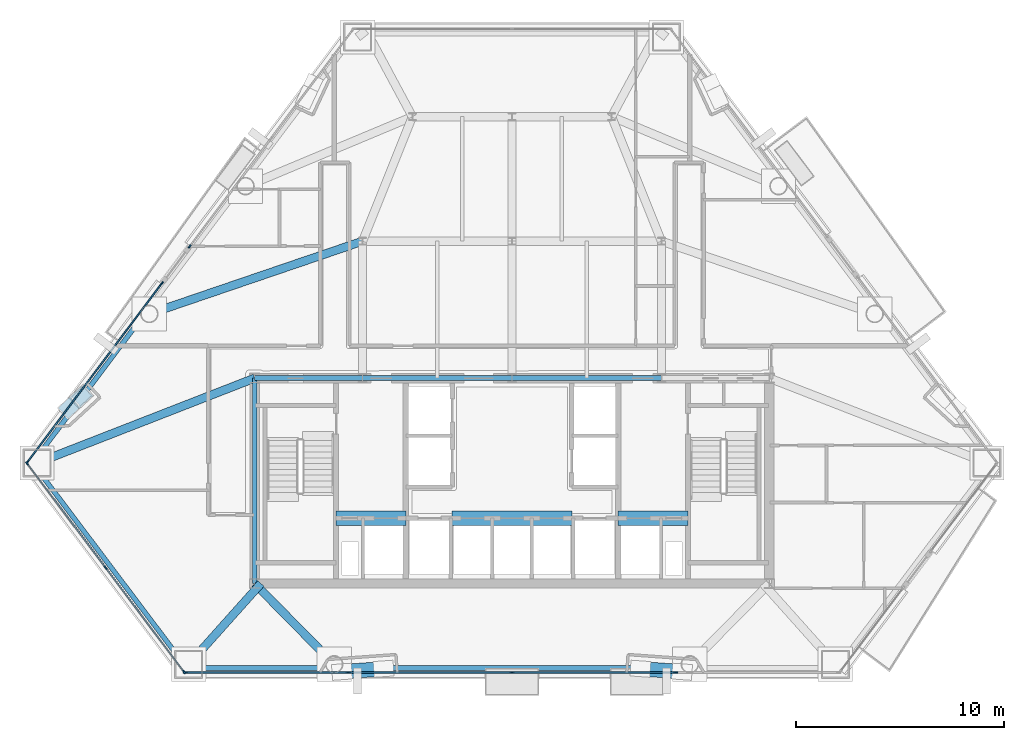
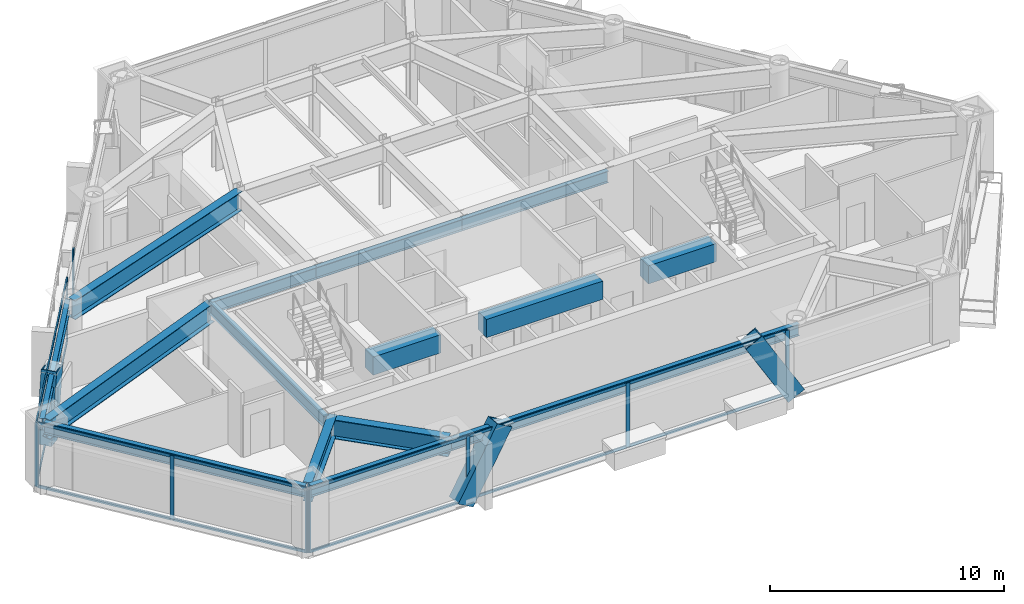
# One storey, part 2 of 10: 25 members, 15 beams, 4 elements without a shape of their own.
"""IFC4 building model written with IfcOpenShell, lengths in metres."""

from ifc_helpers import new_model, si_unit, direction, frame, origin, origin_2d, place, context, subcontext, project, spatial, rectangle, hollow_rectangle, i_section, extrude, material, layer, layer_set, material_profile, profile_set, type_object, element, aggregate, save


model = new_model("IFC4")

# Units and contexts
model_context = context("Model", 3, precision=1e-05, world=origin(), true_north=direction((0.0, 1.0)))
body_context = subcontext(model_context, "Body", "Model", "MODEL_VIEW")
ifc_project = project(units=[si_unit("LENGTHUNIT", "METRE"), si_unit("AREAUNIT", "SQUARE_METRE"), si_unit("VOLUMEUNIT", "CUBIC_METRE"), si_unit("PLANEANGLEUNIT", "RADIAN"), si_unit("MASSUNIT", "GRAM", prefix="KILO")], contexts=[model_context])

# Site, building, storey
site_placement = place(None, origin())
site = spatial("IfcSite", under=ifc_project, at=site_placement, CompositionType="ELEMENT")
building_placement = place(site_placement, origin())
building = spatial("IfcBuilding", under=site, at=building_placement, Name="Talgorran Terracotta Tower", CompositionType="ELEMENT")
storey_placement = place(building_placement, frame((0.0, 0.0, 64.800048828125)))
storey = spatial("IfcBuildingStorey", under=building, at=storey_placement, Name="L16", CompositionType="ELEMENT", Elevation=64.800048828125)

# Beams
ifc_material_1 = material(Name="Steel Grade 350 (350L0)", Category="steel")
ifc_material_profile_1 = material_profile(ifc_material_1, i_section(OverallWidth=0.39990234375, OverallDepth=1.0, WebThickness=0.01611328125, FlangeThickness=0.031005859375, at=origin_2d()), Name="1000WB296")
ifc_profile_set_1 = profile_set([ifc_material_profile_1], Name="Steel Grade 350 (350L0)")
beam_type_1 = type_object("IfcBeamType", Name="BM_1000WB296", PredefinedType="BEAM", material=ifc_profile_set_1)
beam_1_placement = place(storey_placement, frame((-8.56884765625, -17.9912109375, 2.849853515625), z_axis=(-0.701586091596, 0.712584700985, 0.0), x_axis=(-0.712584700985, -0.701586091596, 0.0)))
element("IfcBeam", 1, at=beam_1_placement, inside=storey, type_object=beam_type_1, Name="L16 South-West Core Tie Beam", PredefinedType="BEAM", context=body_context, shape_type="SweptSolid", body=[
    extrude(i_section(OverallWidth=0.39990234375, OverallDepth=1.0, WebThickness=0.01611328125, FlangeThickness=0.031005859375, at=origin_2d()), origin(), (0.0, 0.0, 1.0), 5.46044921875),
])
beam_2_placement = place(storey_placement, frame((-15.57958984375, -17.9912109375, 2.849853515625), z_axis=(0.666578821872, 0.745434553957, 0.0), x_axis=(-0.745434553957, 0.666578821872, 0.0)))
element("IfcBeam", 2, at=beam_2_placement, inside=storey, type_object=beam_type_1, Name="L16 Perimeter Step Girder 2", PredefinedType="BEAM", context=body_context, shape_type="SweptSolid", body=[
    extrude(i_section(OverallWidth=0.39990234375, OverallDepth=1.0, WebThickness=0.01611328125, FlangeThickness=0.031005859375, at=origin_2d()), origin(), (0.0, 0.0, 1.0), 5.219970703125),
])
beam_3_placement = place(storey_placement, frame((-7.199951171875, 2.39990234375, 2.849853515625), z_axis=(-0.94650066869, -0.322701850274, 0.0), x_axis=(0.322701850274, -0.94650066869, 0.0)))
element("IfcBeam", 3, at=beam_3_placement, inside=storey, type_object=beam_type_1, Name="L16 Floor Girder G06", PredefinedType="BEAM", context=body_context, shape_type="SweptSolid", body=[
    extrude(i_section(OverallWidth=0.39990234375, OverallDepth=1.0, WebThickness=0.01611328125, FlangeThickness=0.031005859375, at=origin_2d()), origin(), (0.0, 0.0, 1.0), 10.859619140625),
])
beam_4_placement = place(storey_placement, frame((-12.39990234375, -4.199951171875, 2.849853515625), z_axis=(-0.931733259181, -0.363143406571, 0.0), x_axis=(0.363143406571, -0.931733259181, 0.0)))
element("IfcBeam", 4, at=beam_4_placement, inside=storey, type_object=beam_type_1, Name="L16 Floor Girder G17", PredefinedType="BEAM", context=body_context, shape_type="SweptSolid", body=[
    extrude(i_section(OverallWidth=0.39990234375, OverallDepth=1.0, WebThickness=0.01611328125, FlangeThickness=0.031005859375, at=origin_2d()), origin(), (0.0, 0.0, 1.0), 11.253662109375),
])
ifc_material_2 = material(Name="Concrete C65/80", Category="concrete")
ifc_material_profile_2 = material_profile(ifc_material_2, rectangle(XDim=0.699951171875, YDim=0.949951171875, at=origin_2d()), Name="RCCB700X950")
ifc_profile_set_2 = profile_set([ifc_material_profile_2], Name="Concrete C65/80")
beam_type_2 = type_object("IfcBeamType", Name="BM_CB_700X950", PredefinedType="LINTEL", material=ifc_profile_set_2)
beam_5_placement = place(storey_placement, frame((-8.47998046875, -10.949951171875, 2.875), z_axis=(1.0, 0.0, 0.0), x_axis=(0.0, 1.0, 0.0)))
element("IfcBeam", 5, at=beam_5_placement, inside=storey, type_object=beam_type_2, Name="L16 Core Shear-Wall Coupling Beam CB1", PredefinedType="LINTEL", context=body_context, shape_type="SweptSolid", body=[
    extrude(rectangle(XDim=0.699951171875, YDim=0.949951171875, at=origin_2d()), origin(), (0.0, 0.0, 1.0), 3.35986328125),
])
beam_6_placement = place(storey_placement, frame((-2.8798828125, -10.949951171875, 2.875), z_axis=(1.0, 0.0, 0.0), x_axis=(0.0, 1.0, 0.0)))
element("IfcBeam", 6, at=beam_6_placement, inside=storey, type_object=beam_type_2, Name="L16 Core Shear-Wall Coupling Beam CB2", PredefinedType="LINTEL", context=body_context, shape_type="SweptSolid", body=[
    extrude(rectangle(XDim=0.699951171875, YDim=0.949951171875, at=origin_2d()), origin(), (0.0, 0.0, 1.0), 5.759765625),
])
beam_7_placement = place(storey_placement, frame((5.1201171875, -10.949951171875, 2.875), z_axis=(1.0, 0.0, 0.0), x_axis=(0.0, 1.0, 0.0)))
element("IfcBeam", 7, at=beam_7_placement, inside=storey, type_object=beam_type_2, Name="L16 Core Shear-Wall Coupling Beam CB3", PredefinedType="LINTEL", context=body_context, shape_type="SweptSolid", body=[
    extrude(rectangle(XDim=0.699951171875, YDim=0.949951171875, at=origin_2d()), origin(), (0.0, 0.0, 1.0), 3.35986328125),
])
ifc_material_3 = material(Name="Steel S355 (300PLUS)", Category="steel")
ifc_material_profile_3 = material_profile(ifc_material_3, i_section(OverallWidth=0.22900390625, OverallDepth=0.611572265625, WebThickness=0.011962890625, FlangeThickness=0.01953125, at=origin_2d()), Name="610UB125")
ifc_profile_set_3 = profile_set([ifc_material_profile_3], Name="Steel S355 (300PLUS)")
beam_type_3 = type_object("IfcBeamType", Name="BM_SP_610UB125", PredefinedType="SPANDREL", material=ifc_profile_set_3)
beam_8_placement = place(storey_placement, frame((-23.029052734375, -8.39501953125, 3.044189453125), z_axis=(0.601442935973, -0.798915761997, 0.0), x_axis=(0.798915761997, 0.601442935973, 0.0)))
element("IfcBeam", 8, at=beam_8_placement, inside=storey, type_object=beam_type_3, Name="L16 Perimeter Spandrel Beam MC1-MC2", PredefinedType="SPANDREL", context=body_context, shape_type="SweptSolid", body=[
    extrude(i_section(OverallWidth=0.22900390625, OverallDepth=0.611572265625, WebThickness=0.011962890625, FlangeThickness=0.01953125, at=origin_2d()), origin(), (0.0, 0.0, 1.0), 12.14697265625),
])
beam_9_placement = place(storey_placement, frame((-15.57958984375, -18.171142578125, 3.044189453125), z_axis=(1.0, 0.0, 0.0), x_axis=(0.0, 1.0, 0.0)))
element("IfcBeam", 9, at=beam_9_placement, inside=storey, type_object=beam_type_3, Name="L16 Perimeter Spandrel Beam MC2-FC1", PredefinedType="SPANDREL", context=body_context, shape_type="SweptSolid", body=[
    extrude(i_section(OverallWidth=0.22900390625, OverallDepth=0.611572265625, WebThickness=0.011962890625, FlangeThickness=0.01953125, at=origin_2d()), origin(), (0.0, 0.0, 1.0), 7.0107421875),
])
beam_10_placement = place(storey_placement, frame((-8.56884765625, -18.171142578125, 3.044189453125), z_axis=(1.0, 0.0, 0.0), x_axis=(0.0, 1.0, 0.0)))
element("IfcBeam", 10, at=beam_10_placement, inside=storey, type_object=beam_type_3, Name="L16 Perimeter Spandrel Beam FC1-FC2", PredefinedType="SPANDREL", context=body_context, shape_type="SweptSolid", body=[
    extrude(i_section(OverallWidth=0.22900390625, OverallDepth=0.611572265625, WebThickness=0.011962890625, FlangeThickness=0.01953125, at=origin_2d()), origin(), (0.0, 0.0, 1.0), 17.1376953125),
])
beam_11_placement = place(storey_placement, frame((-17.622314453125, -0.996337890625, 3.044189453125), z_axis=(-0.601446008666, -0.798913448791, 0.0), x_axis=(0.798913448791, -0.601446008666, 0.0)))
element("IfcBeam", 11, at=beam_11_placement, inside=storey, type_object=beam_type_3, Name="L16 Perimeter Spandrel Beam FC6-MC1", PredefinedType="SPANDREL", context=body_context, shape_type="SweptSolid", body=[
    extrude(i_section(OverallWidth=0.22900390625, OverallDepth=0.611572265625, WebThickness=0.011962890625, FlangeThickness=0.01953125, at=origin_2d()), origin(), (0.0, 0.0, 1.0), 8.989501953125),
])
beam_12_placement = place(storey_placement, frame((-12.39990234375, -14.10009765625, 3.044189453125), z_axis=(0.0, 1.0, 0.0), x_axis=(-1.0, 0.0, 0.0)))
element("IfcBeam", 12, at=beam_12_placement, inside=storey, type_object=beam_type_3, Name="L16 Core Frame Beam CFW", PredefinedType="SPANDREL", context=body_context, shape_type="SweptSolid", body=[
    extrude(i_section(OverallWidth=0.22900390625, OverallDepth=0.611572265625, WebThickness=0.011962890625, FlangeThickness=0.01953125, at=origin_2d()), origin(), (0.0, 0.0, 1.0), 9.900146484375),
])
beam_13_placement = place(storey_placement, frame((-12.39990234375, -4.199951171875, 3.044189453125), z_axis=(1.0, 0.0, 0.0), x_axis=(0.0, 1.0, 0.0)))
element("IfcBeam", 13, at=beam_13_placement, inside=storey, type_object=beam_type_3, Name="L16 Core Frame Beam CFN1", PredefinedType="SPANDREL", context=body_context, shape_type="SweptSolid", body=[
    extrude(i_section(OverallWidth=0.22900390625, OverallDepth=0.611572265625, WebThickness=0.011962890625, FlangeThickness=0.01953125, at=origin_2d()), origin(), (0.0, 0.0, 1.0), 5.199951171875),
])
for number, where, z_axis, x_axis, name in (
    (14, (-7.199951171875, -4.199951171875, 3.044189453125), (1.0, 0.0, 0.0), (0.0, 1.0, 0.0), "L16 Core Frame Beam CFN2"),
    (15, (0.0, -4.199951171875, 3.044189453125), (1.0, 0.0, 0.0), (0.0, 1.0, 0.0), "L16 Core Frame Beam CFN3"),
):
    element("IfcBeam", number, at=place(storey_placement, frame(where, z_axis=z_axis, x_axis=x_axis)), inside=storey, type_object=beam_type_3, Name=name, PredefinedType="SPANDREL", context=body_context, shape_type="SweptSolid", body=[
        extrude(i_section(OverallWidth=0.22900390625, OverallDepth=0.611572265625, WebThickness=0.011962890625, FlangeThickness=0.01953125, at=origin_2d()), origin(), (0.0, 0.0, 1.0), 7.199951171875),
    ])

# Members
ifc_material_profile_4 = material_profile(ifc_material_1, hollow_rectangle(XDim=0.699951171875, YDim=0.89990234375, WallThickness=0.050048828125, at=origin_2d()), Name="WBOX900X700X50")
ifc_profile_set_4 = profile_set([ifc_material_profile_4], Name="Steel Grade 350 (350L0)")
member_type_1 = type_object("IfcMemberType", Name="MB_MEGA_900", PredefinedType="BRACE", material=ifc_profile_set_4)
for number, where, z_axis, x_axis, name in (
    (16, (-8.19482421875, -18.35107421875, -0.025146484375), (0.508088126264, 0.036517096269, 0.86053062562), (-0.071686668596, 0.997427201126, 0.0), "L16 Exterior Face Mega-Brace MB-1 (SWF)"),
    (17, (8.19482421875, -18.35107421875, -0.025146484375), (-0.508088126264, 0.036517096269, 0.86053062562), (-0.071686668596, -0.997427201126, 0.0), "L16 Exterior Face Mega-Brace MB-1 (SEF)"),
):
    element("IfcMember", number, at=place(storey_placement, frame(where, z_axis=z_axis, x_axis=x_axis)), inside=storey, type_object=member_type_1, Name=name, PredefinedType="BRACE", context=body_context, shape_type="SweptSolid", body=[
        extrude(hollow_rectangle(XDim=0.699951171875, YDim=0.89990234375, WallThickness=0.050048828125, at=origin_2d()), origin(), (0.0, 0.0, 1.0), 3.951171875),
    ])
member_1_placement = place(storey_placement, frame((-21.30810546875, -5.593017578125, -0.025146484375), z_axis=(0.157538338283, 0.144632258922, 0.976863952478), x_axis=(-0.676288798637, 0.736636586682, 0.0)))
element("IfcMember", 18, at=member_1_placement, inside=storey, type_object=member_type_1, Name="L16 Exterior Face Mega-Brace MB-1 (NWL)", PredefinedType="BRACE", context=body_context, shape_type="SweptSolid", body=[
    extrude(hollow_rectangle(XDim=0.699951171875, YDim=0.89990234375, WallThickness=0.050048828125, at=origin_2d()), origin(), (0.0, 0.0, 1.0), 3.480712890625),
])

# Curtain wall, members
ifc_material_4 = material(Name="Unitised Low-E Double Glazing", Category="glass")
ifc_layer = layer(ifc_material_4, 0.199951171875, Name="CW_SYS2_RES_LOW")
ifc_layer_set = layer_set([ifc_layer], Name="Unitised Low-E Double Glazing")
curtain_wall_type = type_object("IfcCurtainWallType", Name="CW_SYS2_RES_LOW", PredefinedType="NOTDEFINED", material=ifc_layer_set)
curtain_wall_1_placement = place(storey_placement, origin())
curtain_wall_1 = element("IfcCurtainWall", 19, at=curtain_wall_1_placement, inside=storey, type_object=curtain_wall_type, Name="CW-L16-F0", PredefinedType="NOTDEFINED")
ifc_material_5 = material(Name="Architectural Aluminium 6063-T6", Category="aluminium")
ifc_material_profile_5 = material_profile(ifc_material_5, rectangle(XDim=0.06494140625, YDim=0.18505859375, at=origin_2d()), Name="CWM65X185")
ifc_profile_set_5 = profile_set([ifc_material_profile_5], Name="Architectural Aluminium 6063-T6")
member_type_2 = type_object("IfcMemberType", Name="MUL_65X185", PredefinedType="MULLION", material=ifc_profile_set_5)
member_2_placement = place(storey_placement, frame((-23.366455078125, -8.3125, 0.0), z_axis=(0.0, 0.0, 1.0), x_axis=(0.798916134657, 0.601442440957, 0.0)))
member_2 = element("IfcMember", 20, at=member_2_placement, type_object=member_type_2, Name="CW-L16-0 mullion 1", PredefinedType="MULLION", context=body_context, shape_type="SweptSolid", body=[
    extrude(rectangle(XDim=0.06494140625, YDim=0.18505859375, at=origin_2d()), origin(), (0.0, 0.0, 1.0), 3.349853515625),
])
member_3_placement = place(storey_placement, frame((-19.58251953125, -13.3388671875, 0.0), z_axis=(0.0, 0.0, 1.0), x_axis=(0.798916134657, 0.601442440957, 0.0)))
member_3 = element("IfcMember", 21, at=member_3_placement, type_object=member_type_2, Name="CW-L16-0 mullion 2", PredefinedType="MULLION", context=body_context, shape_type="SweptSolid", body=[
    extrude(rectangle(XDim=0.06494140625, YDim=0.18505859375, at=origin_2d()), origin(), (0.0, 0.0, 1.0), 3.349853515625),
])
member_4_placement = place(storey_placement, frame((-15.798583984375, -18.365234375, 0.0), z_axis=(0.0, 0.0, 1.0), x_axis=(0.798916134657, 0.601442440957, 0.0)))
member_4 = element("IfcMember", 22, at=member_4_placement, type_object=member_type_2, Name="CW-L16-0 mullion 3", PredefinedType="MULLION", context=body_context, shape_type="SweptSolid", body=[
    extrude(rectangle(XDim=0.06494140625, YDim=0.18505859375, at=origin_2d()), origin(), (0.0, 0.0, 1.0), 3.349853515625),
])

curtain_wall_2_placement = place(storey_placement, origin())
curtain_wall_2 = element("IfcCurtainWall", 23, at=curtain_wall_2_placement, inside=storey, type_object=curtain_wall_type, Name="CW-L16-F1", PredefinedType="NOTDEFINED")
member_5_placement = place(storey_placement, frame((-15.74658203125, -18.39111328125, 0.0), z_axis=(0.0, 0.0, 1.0), x_axis=(0.0, 1.0, 0.0)))
member_5 = element("IfcMember", 24, at=member_5_placement, type_object=member_type_2, Name="CW-L16-1 mullion 1", PredefinedType="MULLION", context=body_context, shape_type="SweptSolid", body=[
    extrude(rectangle(XDim=0.06494140625, YDim=0.18505859375, at=origin_2d()), origin(), (0.0, 0.0, 1.0), 3.349853515625),
])
member_6_placement = place(storey_placement, frame((-7.8896484375, -18.39111328125, 0.0), z_axis=(0.0, 0.0, 1.0), x_axis=(0.0, 1.0, 0.0)))
member_6 = element("IfcMember", 25, at=member_6_placement, type_object=member_type_2, Name="CW-L16-1 mullion 2", PredefinedType="MULLION", context=body_context, shape_type="SweptSolid", body=[
    extrude(rectangle(XDim=0.06494140625, YDim=0.18505859375, at=origin_2d()), origin(), (0.0, 0.0, 1.0), 3.349853515625),
])
member_7_placement = place(storey_placement, frame((0.0, -18.39111328125, 0.0), z_axis=(0.0, 0.0, 1.0), x_axis=(0.0, 1.0, 0.0)))
member_7 = element("IfcMember", 26, at=member_7_placement, type_object=member_type_2, Name="CW-L16-1 mullion 3", PredefinedType="MULLION", context=body_context, shape_type="SweptSolid", body=[
    extrude(rectangle(XDim=0.06494140625, YDim=0.18505859375, at=origin_2d()), origin(), (0.0, 0.0, 1.0), 3.349853515625),
])
member_8_placement = place(storey_placement, frame((7.8896484375, -18.39111328125, 0.0), z_axis=(0.0, 0.0, 1.0), x_axis=(0.0, 1.0, 0.0)))
member_8 = element("IfcMember", 27, at=member_8_placement, type_object=member_type_2, Name="CW-L16-1 mullion 4", PredefinedType="MULLION", context=body_context, shape_type="SweptSolid", body=[
    extrude(rectangle(XDim=0.06494140625, YDim=0.18505859375, at=origin_2d()), origin(), (0.0, 0.0, 1.0), 3.349853515625),
])

# Curtain wall, member
curtain_wall_3_placement = place(storey_placement, origin())
curtain_wall_3 = element("IfcCurtainWall", 28, at=curtain_wall_3_placement, inside=storey, type_object=curtain_wall_type, Name="CW-L16-F60", PredefinedType="NOTDEFINED")
member_9_placement = place(storey_placement, frame((-15.533447265625, 2.144287109375, 0.0), z_axis=(0.0, 0.0, 1.0), x_axis=(0.798918632962, -0.601439122361, 0.0)))
member_9 = element("IfcMember", 29, at=member_9_placement, type_object=member_type_2, Name="CW-L16-60 mullion 3", PredefinedType="MULLION", context=body_context, shape_type="SweptSolid", body=[
    extrude(rectangle(XDim=0.06494140625, YDim=0.18505859375, at=origin_2d()), origin(), (0.0, 0.0, 1.0), 3.349853515625),
])
aggregate(curtain_wall_3, [member_9])

# Curtain wall, members
curtain_wall_4_placement = place(storey_placement, origin())
curtain_wall_4 = element("IfcCurtainWall", 30, at=curtain_wall_4_placement, inside=storey, type_object=curtain_wall_type, Name="CW-L16-F61", PredefinedType="NOTDEFINED")
member_10_placement = place(storey_placement, frame((-16.87158203125, 0.36669921875, 0.0), z_axis=(0.0, 0.0, 1.0), x_axis=(0.798919966888, -0.601437350443, 0.0)))
member_10 = element("IfcMember", 31, at=member_10_placement, type_object=member_type_2, Name="CW-L16-61 mullion 1", PredefinedType="MULLION", context=body_context, shape_type="SweptSolid", body=[
    extrude(rectangle(XDim=0.06494140625, YDim=0.18505859375, at=origin_2d()), origin(), (0.0, 0.0, 1.0), 3.349853515625),
])
member_11_placement = place(storey_placement, frame((-23.34228515625, -8.228515625, 0.0), z_axis=(0.0, 0.0, 1.0), x_axis=(0.798919966888, -0.601437350443, 0.0)))
member_11 = element("IfcMember", 32, at=member_11_placement, type_object=member_type_2, Name="CW-L16-61 mullion 2", PredefinedType="MULLION", context=body_context, shape_type="SweptSolid", body=[
    extrude(rectangle(XDim=0.06494140625, YDim=0.18505859375, at=origin_2d()), origin(), (0.0, 0.0, 1.0), 3.349853515625),
])

# Member
ifc_material_profile_6 = material_profile(ifc_material_5, rectangle(XDim=0.06494140625, YDim=0.14990234375, at=origin_2d()), Name="CWT65X150")
ifc_profile_set_6 = profile_set([ifc_material_profile_6], Name="Architectural Aluminium 6063-T6")
member_type_3 = type_object("IfcMemberType", Name="TRN_65X150", PredefinedType="USERDEFINED", material=ifc_profile_set_6)
member_12_placement = place(storey_placement, frame((-23.346923828125, -8.338623046875, 0.032470703125), z_axis=(0.601448231675, -0.798911775238, 0.0), x_axis=(0.798911775238, 0.601448231675, 0.0)))
member_12 = element("IfcMember", 33, at=member_12_placement, type_object=member_type_3, Name="CW-L16-0 transom 1.1", ObjectType="TRANSOM", PredefinedType="USERDEFINED", context=body_context, shape_type="SweptSolid", body=[
    extrude(rectangle(XDim=0.06494140625, YDim=0.14990234375, at=origin_2d()), origin(), (0.0, 0.0, 1.0), 6.226318359375),
])

member_13_placement = place(storey_placement, frame((-23.346923828125, -8.338623046875, 3.3173828125), z_axis=(0.601448231675, -0.798911775238, 0.0), x_axis=(0.798911775238, 0.601448231675, 0.0)))
member_13 = element("IfcMember", 34, at=member_13_placement, type_object=member_type_3, Name="CW-L16-0 transom 1.2", ObjectType="TRANSOM", PredefinedType="USERDEFINED", context=body_context, shape_type="SweptSolid", body=[
    extrude(rectangle(XDim=0.06494140625, YDim=0.14990234375, at=origin_2d()), origin(), (0.0, 0.0, 1.0), 6.226318359375),
])

member_14_placement = place(storey_placement, frame((-19.56298828125, -13.36474609375, 0.032470703125), z_axis=(0.601448231675, -0.798911775238, 0.0), x_axis=(0.798911775238, 0.601448231675, 0.0)))
member_14 = element("IfcMember", 35, at=member_14_placement, type_object=member_type_3, Name="CW-L16-0 transom 2.1", ObjectType="TRANSOM", PredefinedType="USERDEFINED", context=body_context, shape_type="SweptSolid", body=[
    extrude(rectangle(XDim=0.06494140625, YDim=0.14990234375, at=origin_2d()), origin(), (0.0, 0.0, 1.0), 6.226318359375),
])

member_15_placement = place(storey_placement, frame((-19.56298828125, -13.36474609375, 3.3173828125), z_axis=(0.601448231675, -0.798911775238, 0.0), x_axis=(0.798911775238, 0.601448231675, 0.0)))
member_15 = element("IfcMember", 36, at=member_15_placement, type_object=member_type_3, Name="CW-L16-0 transom 2.2", ObjectType="TRANSOM", PredefinedType="USERDEFINED", context=body_context, shape_type="SweptSolid", body=[
    extrude(rectangle(XDim=0.06494140625, YDim=0.14990234375, at=origin_2d()), origin(), (0.0, 0.0, 1.0), 6.226318359375),
])

aggregate(curtain_wall_1, [member_2, member_3, member_4, member_12, member_13, member_14, member_15])

member_16_placement = place(storey_placement, frame((-15.714111328125, -18.39111328125, 0.032470703125), z_axis=(1.0, 0.0, 0.0), x_axis=(0.0, 1.0, 0.0)))
member_16 = element("IfcMember", 37, at=member_16_placement, type_object=member_type_3, Name="CW-L16-1 transom 1.1", ObjectType="TRANSOM", PredefinedType="USERDEFINED", context=body_context, shape_type="SweptSolid", body=[
    extrude(rectangle(XDim=0.06494140625, YDim=0.14990234375, at=origin_2d()), origin(), (0.0, 0.0, 1.0), 7.7919921875),
])

member_17_placement = place(storey_placement, frame((-15.714111328125, -18.39111328125, 3.3173828125), z_axis=(1.0, 0.0, 0.0), x_axis=(0.0, 1.0, 0.0)))
member_17 = element("IfcMember", 38, at=member_17_placement, type_object=member_type_3, Name="CW-L16-1 transom 1.2", ObjectType="TRANSOM", PredefinedType="USERDEFINED", context=body_context, shape_type="SweptSolid", body=[
    extrude(rectangle(XDim=0.06494140625, YDim=0.14990234375, at=origin_2d()), origin(), (0.0, 0.0, 1.0), 7.7919921875),
])

member_18_placement = place(storey_placement, frame((-7.85693359375, -18.39111328125, 0.032470703125), z_axis=(1.0, 0.0, 0.0), x_axis=(0.0, 1.0, 0.0)))
member_18 = element("IfcMember", 39, at=member_18_placement, type_object=member_type_3, Name="CW-L16-1 transom 2.1", ObjectType="TRANSOM", PredefinedType="USERDEFINED", context=body_context, shape_type="SweptSolid", body=[
    extrude(rectangle(XDim=0.06494140625, YDim=0.14990234375, at=origin_2d()), origin(), (0.0, 0.0, 1.0), 7.824462890625),
])

member_19_placement = place(storey_placement, frame((-7.85693359375, -18.39111328125, 3.3173828125), z_axis=(1.0, 0.0, 0.0), x_axis=(0.0, 1.0, 0.0)))
member_19 = element("IfcMember", 40, at=member_19_placement, type_object=member_type_3, Name="CW-L16-1 transom 2.2", ObjectType="TRANSOM", PredefinedType="USERDEFINED", context=body_context, shape_type="SweptSolid", body=[
    extrude(rectangle(XDim=0.06494140625, YDim=0.14990234375, at=origin_2d()), origin(), (0.0, 0.0, 1.0), 7.824462890625),
])

member_20_placement = place(storey_placement, frame((0.032470703125, -18.39111328125, 0.032470703125), z_axis=(1.0, 0.0, 0.0), x_axis=(0.0, 1.0, 0.0)))
member_20 = element("IfcMember", 41, at=member_20_placement, type_object=member_type_3, Name="CW-L16-1 transom 3.1", ObjectType="TRANSOM", PredefinedType="USERDEFINED", context=body_context, shape_type="SweptSolid", body=[
    extrude(rectangle(XDim=0.06494140625, YDim=0.14990234375, at=origin_2d()), origin(), (0.0, 0.0, 1.0), 7.824462890625),
])

member_21_placement = place(storey_placement, frame((0.032470703125, -18.39111328125, 3.3173828125), z_axis=(1.0, 0.0, 0.0), x_axis=(0.0, 1.0, 0.0)))
member_21 = element("IfcMember", 42, at=member_21_placement, type_object=member_type_3, Name="CW-L16-1 transom 3.2", ObjectType="TRANSOM", PredefinedType="USERDEFINED", context=body_context, shape_type="SweptSolid", body=[
    extrude(rectangle(XDim=0.06494140625, YDim=0.14990234375, at=origin_2d()), origin(), (0.0, 0.0, 1.0), 7.824462890625),
])

aggregate(curtain_wall_2, [member_5, member_6, member_7, member_8, member_16, member_17, member_18, member_19, member_20, member_21])

member_22_placement = place(storey_placement, frame((-16.89111328125, 0.3408203125, 0.032470703125), z_axis=(-0.601438243563, -0.798919294535, 0.0), x_axis=(0.798919294535, -0.601438243563, 0.0)))
member_22 = element("IfcMember", 43, at=member_22_placement, type_object=member_type_3, Name="CW-L16-61 transom 1.1", ObjectType="TRANSOM", PredefinedType="USERDEFINED", context=body_context, shape_type="SweptSolid", body=[
    extrude(rectangle(XDim=0.06494140625, YDim=0.14990234375, at=origin_2d()), origin(), (0.0, 0.0, 1.0), 10.69384765625),
])

member_23_placement = place(storey_placement, frame((-16.89111328125, 0.3408203125, 3.3173828125), z_axis=(-0.601438243563, -0.798919294535, 0.0), x_axis=(0.798919294535, -0.601438243563, 0.0)))
member_23 = element("IfcMember", 44, at=member_23_placement, type_object=member_type_3, Name="CW-L16-61 transom 1.2", ObjectType="TRANSOM", PredefinedType="USERDEFINED", context=body_context, shape_type="SweptSolid", body=[
    extrude(rectangle(XDim=0.06494140625, YDim=0.14990234375, at=origin_2d()), origin(), (0.0, 0.0, 1.0), 10.69384765625),
])

aggregate(curtain_wall_4, [member_10, member_11, member_22, member_23])

save(model, "model.ifc")
